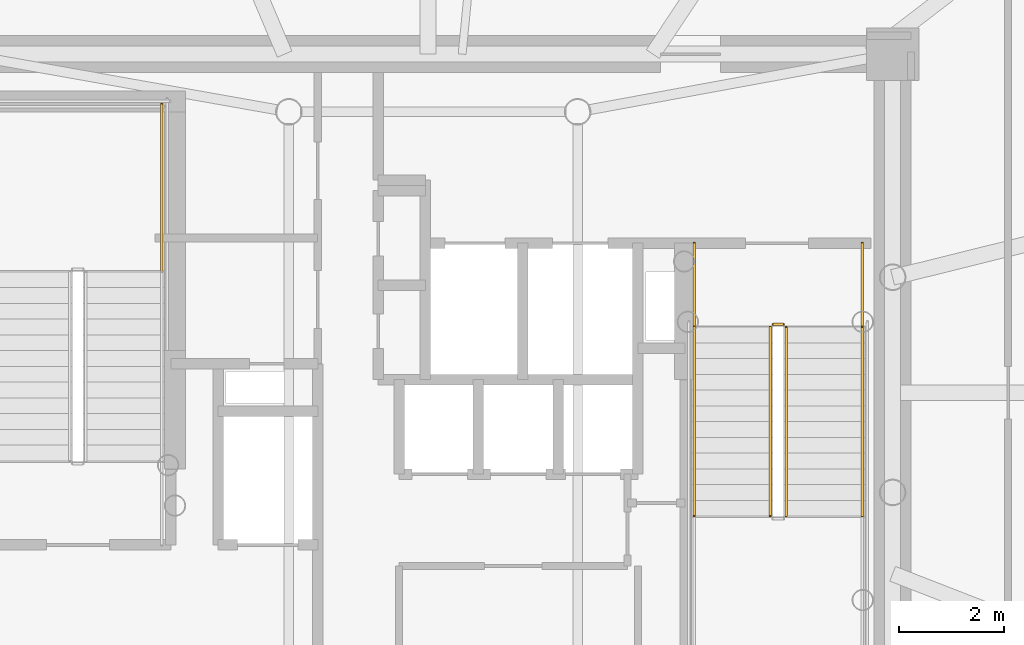
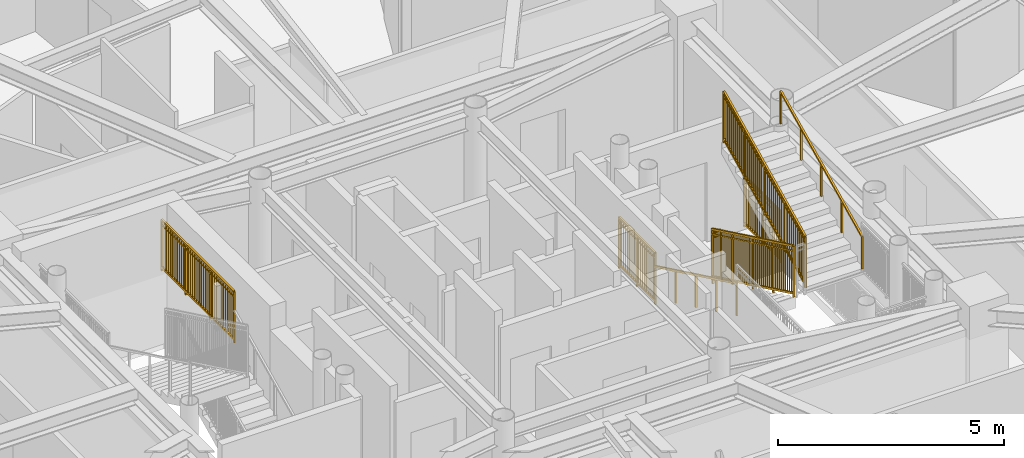
# One storey, part 16 of 17: 8 railings.
"""IFC4 building model written with IfcOpenShell, lengths in metres."""

import ifcopenshell
import ifcopenshell.guid

model = None  # the IFC model being written
_history = None  # IfcOwnerHistory: only IFC2X3 demands one
_inside = {}  # id of a spatial element -> (the spatial element, [elements in it])
_under = {}  # id of a project, library or spatial element -> (it, [spatial elements below it])
_declared = {}  # id of a project -> (the project, [libraries it declares])
_typed = {}  # id of a type object -> (the type object, [elements of that type])
_made_of = {}  # id of a material, layer set ... -> (it, [elements and type objects made of it])


def new_model(schema):
    """Start an empty IFC model of exactly this schema.

    Asked for "IFC4X3", IfcOpenShell would pick the latest addendum, in which some entities
    have other attributes; the version numbers below select the first issue.
    IFC2X3 requires an IfcOwnerHistory on every rooted entity: one is made here for all.
    """
    global model, _history
    if schema == "IFC4X3":
        model = ifcopenshell.file(schema_version=(4, 3, 0, 0))
    else:
        model = ifcopenshell.file(schema=schema)
    _inside.clear()
    _under.clear()
    _declared.clear()
    _typed.clear()
    _made_of.clear()
    _history = None
    if model.schema == "IFC2X3":
        org = make("IfcOrganization", Name="unknown")
        user = make(
            "IfcPersonAndOrganization",
            ThePerson=make("IfcPerson", FamilyName="unknown"),
            TheOrganization=org,
        )
        app = make(
            "IfcApplication",
            ApplicationDeveloper=org,
            Version="unknown",
            ApplicationFullName="unknown",
            ApplicationIdentifier="unknown",
        )
        _history = make(
            "IfcOwnerHistory",
            OwningUser=user,
            OwningApplication=app,
            ChangeAction="ADDED",
            CreationDate=0,
        )
    return model


def make(cls, **values):
    """One entity of the class cls with the attributes given. An attribute that is None is left unset."""
    return model.create_entity(
        cls, **{name: value for name, value in values.items() if value is not None}
    )


def rooted(cls, **values):
    """An entity with a GlobalId (a new one), such as an element, a storey or a relation."""
    return make(cls, GlobalId=ifcopenshell.guid.new(), OwnerHistory=_history, **values)


def si_unit(unit_type, name, prefix=None):
    """IfcSIUnit, for example si_unit("LENGTHUNIT", "METRE", prefix="MILLI")."""
    return make("IfcSIUnit", UnitType=unit_type, Prefix=prefix, Name=name)


def assignment(units):
    """IfcUnitAssignment: the units of a project."""
    return None if units is None else make("IfcUnitAssignment", Units=units)


def point(xyz):
    """IfcCartesianPoint."""
    return None if xyz is None else make("IfcCartesianPoint", Coordinates=xyz)


def direction(xyz):
    """IfcDirection."""
    return None if xyz is None else make("IfcDirection", DirectionRatios=xyz)


def frame(location, z_axis=None, x_axis=None):
    """IfcAxis2Placement3D, a coordinate frame: its origin and axes. An axis left out is left unset."""
    return make(
        "IfcAxis2Placement3D",
        Location=point(location),
        Axis=direction(z_axis),
        RefDirection=direction(x_axis),
    )


def frame_2d(location, x_axis=None):
    """IfcAxis2Placement2D, a coordinate frame in the plane: its origin and x axis."""
    return make(
        "IfcAxis2Placement2D", Location=point(location), RefDirection=direction(x_axis)
    )


def origin():
    """The frame at (0, 0, 0) with its axes left unset."""
    return frame((0.0, 0.0, 0.0))


def origin_2d():
    """The frame at (0, 0) in the plane with its x axis left unset."""
    return frame_2d((0.0, 0.0))


def place(relative_to, where):
    """IfcLocalPlacement: puts the frame where relative to a parent placement (None: the world)."""
    return make(
        "IfcLocalPlacement", PlacementRelTo=relative_to, RelativePlacement=where
    )


def context(
    kind, dimensions, precision=None, world=None, true_north=None, identifier=None
):
    """IfcGeometricRepresentationContext, for example the 3D "Model" context."""
    return make(
        "IfcGeometricRepresentationContext",
        ContextIdentifier=identifier,
        ContextType=kind,
        CoordinateSpaceDimension=dimensions,
        Precision=precision,
        WorldCoordinateSystem=world,
        TrueNorth=true_north,
    )


def subcontext(parent, identifier, kind, view, scale=None):
    """IfcGeometricRepresentationSubContext, for example "Body" below "Model"."""
    return make(
        "IfcGeometricRepresentationSubContext",
        ContextIdentifier=identifier,
        ContextType=kind,
        ParentContext=parent,
        TargetScale=scale,
        TargetView=view,
    )


def project(units=None, contexts=None):
    """IfcProject with its units and contexts."""
    return rooted(
        "IfcProject",
        Name="project",
        RepresentationContexts=contexts,
        UnitsInContext=assignment(units),
    )


def spatial(cls, under=None, at=None, **own):
    """A site, building, storey or space (cls), placed at a placement, below another one or the project."""
    s = rooted(cls, ObjectPlacement=at, **own)
    if under is not None:
        _under.setdefault(under.id(), (under, []))[1].append(s)
    return s


def profile(cls, at=None, kind="AREA", **sizes):
    """A parametric profile (cls). Its sizes go by their IFC names, for example OverallWidth=200.0."""
    return make(cls, ProfileType=kind, Position=at, **sizes)


def rectangle(**sizes):
    """IfcRectangleProfileDef."""
    return profile("IfcRectangleProfileDef", **sizes)


def extrude(swept, where, along, depth):
    """IfcExtrudedAreaSolid: the profile swept, set in the frame where, extruded along a direction by depth."""
    return make(
        "IfcExtrudedAreaSolid",
        SweptArea=swept,
        Position=where,
        ExtrudedDirection=direction(along),
        Depth=depth,
    )


def shape(context_of_items, identifier, shape_type, items):
    """IfcShapeRepresentation: the items that make up one representation, for example the "Body"."""
    return make(
        "IfcShapeRepresentation",
        ContextOfItems=context_of_items,
        RepresentationIdentifier=identifier,
        RepresentationType=shape_type,
        Items=items,
    )


def source(mapping_origin, context_of_items, identifier, shape_type, items):
    """IfcRepresentationMap: a shape defined once, which mapped items show again and again."""
    return make(
        "IfcRepresentationMap",
        MappingOrigin=mapping_origin,
        MappedRepresentation=shape(context_of_items, identifier, shape_type, items),
    )


def transform(
    local_origin,
    x_axis=None,
    y_axis=None,
    z_axis=None,
    scale=None,
    scale2=None,
    scale3=None,
    uniform=True,
):
    """IfcCartesianTransformationOperator3D, or its non-uniform kind. x_axis, y_axis, z_axis: its Axis1, 2, 3."""
    if uniform:
        return make(
            "IfcCartesianTransformationOperator3D",
            Axis1=direction(x_axis),
            Axis2=direction(y_axis),
            LocalOrigin=point(local_origin),
            Scale=scale,
            Axis3=direction(z_axis),
        )
    return make(
        "IfcCartesianTransformationOperator3DnonUniform",
        Axis1=direction(x_axis),
        Axis2=direction(y_axis),
        LocalOrigin=point(local_origin),
        Scale=scale,
        Axis3=direction(z_axis),
        Scale2=scale2,
        Scale3=scale3,
    )


def mapped(mapping_source, mapping_target):
    """IfcMappedItem: shows the shape of a source again, moved by a transform."""
    return make(
        "IfcMappedItem", MappingSource=mapping_source, MappingTarget=mapping_target
    )


def material(Name=None, Category=None):
    """IfcMaterial."""
    return make("IfcMaterial", Name=Name, Category=Category)


def made_of(thing, what):
    """Note that an element or type object is made of a material, layer set ...; save() writes the relation."""
    if what is not None:
        _made_of.setdefault(what.id(), (what, []))[1].append(thing)
    return thing


def type_object(cls, material=None, **own):
    """A type object (cls), such as IfcWallType, which elements share."""
    return made_of(rooted(cls, **own), material)


def element(
    cls,
    number,
    at=None,
    inside=None,
    cuts=None,
    type_object=None,
    material=None,
    context=None,
    identifier="Body",
    shape_type=None,
    held_by="IfcProductDefinitionShape",
    body=None,
    shapes=None,
    **own,
):
    """One element of the class cls, such as IfcWall. Its Tag is "e" and its number.

    at: its placement. inside: the storey or other place that contains it. cuts: it is an
    opening in that element (IfcRelVoidsElement). A single representation is given by context,
    identifier, shape_type and body (its items); several are given by shapes. held_by: the class
    of the entity that holds the representations. save() writes the other relations.
    """
    e = rooted(cls, Tag="e%d" % number, ObjectPlacement=at, **own)
    if body is not None:
        shapes = [shape(context, identifier, shape_type, body)]
    if shapes is not None:
        e.Representation = make(held_by, Representations=shapes)
    if inside is not None:
        _inside.setdefault(inside.id(), (inside, []))[1].append(e)
    if cuts is not None:
        rooted(
            "IfcRelVoidsElement", RelatingBuildingElement=cuts, RelatedOpeningElement=e
        )
    if type_object is not None:
        _typed.setdefault(type_object.id(), (type_object, []))[1].append(e)
    return made_of(e, material)


def aggregate(whole, parts):
    """IfcRelAggregates: a whole, such as a stair, and the parts it consists of."""
    return rooted("IfcRelAggregates", RelatingObject=whole, RelatedObjects=parts)


def save(model, path):
    """Write the relations noted so far, then the file.

    IfcRelAggregates (storeys below a building ...), IfcRelContainedInSpatialStructure (elements
    in a storey), IfcRelDefinesByType, IfcRelAssociatesMaterial and IfcRelDeclares: one each for
    every whole, place, type object, material and project.
    """
    for whole, parts in _under.values():
        aggregate(whole, parts)
    for where, things in _inside.values():
        rooted(
            "IfcRelContainedInSpatialStructure",
            RelatedElements=things,
            RelatingStructure=where,
        )
    for kind, things in _typed.values():
        rooted("IfcRelDefinesByType", RelatedObjects=things, RelatingType=kind)
    for what, things in _made_of.values():
        rooted("IfcRelAssociatesMaterial", RelatedObjects=things, RelatingMaterial=what)
    for by, libraries in _declared.values():
        rooted("IfcRelDeclares", RelatingContext=by, RelatedDefinitions=libraries)
    model.write(path)


model = new_model("IFC4")

# Units and contexts
model_context = context("Model", 3, precision=1e-05, world=origin(), true_north=direction((0.0, 1.0)))
body_context = subcontext(model_context, "Body", "Model", "MODEL_VIEW")
ifc_project = project(units=[si_unit("LENGTHUNIT", "METRE"), si_unit("AREAUNIT", "SQUARE_METRE"), si_unit("VOLUMEUNIT", "CUBIC_METRE"), si_unit("PLANEANGLEUNIT", "RADIAN"), si_unit("MASSUNIT", "GRAM", prefix="KILO")], contexts=[model_context])

# Site, building, storey
site_placement = place(None, origin())
site = spatial("IfcSite", under=ifc_project, at=site_placement, CompositionType="ELEMENT")
building_placement = place(site_placement, origin())
building = spatial("IfcBuilding", under=site, at=building_placement, Name="Linh Dai School and Residence Tower", CompositionType="ELEMENT")
storey_placement = place(building_placement, frame((0.0, 0.0, 284.25)))
storey = spatial("IfcBuildingStorey", under=building, at=storey_placement, Name="L70", CompositionType="ELEMENT", Elevation=284.25)

# Railings
ifc_material_1 = material(Name="Structural Steel S355JR", Category="steel")
railing_type_1 = type_object("IfcRailingType", Name="RL-ST-GUARD-1400", PredefinedType="GUARDRAIL", material=ifc_material_1)
shared_shape_1 = source(origin(), body_context, "Body", "SweptSolid", [
    extrude(rectangle(XDim=0.048095703125, YDim=0.048095703125, at=origin_2d()), frame((0.0, 0.0, 1.3759765625), z_axis=(0.0, 0.901262522062, 0.433273431364), x_axis=(-1.0, 0.0, 0.0)), (0.0, 0.0, 1.0), 3.994384765625),
    extrude(rectangle(XDim=0.048095703125, YDim=0.048095703125, at=origin_2d()), frame((0.0, 0.0, 0.10009765625), z_axis=(0.0, 0.901262522062, 0.433273431364), x_axis=(-1.0, 0.0, 0.0)), (0.0, 0.0, 1.0), 3.994384765625),
    extrude(rectangle(XDim=0.030029296875, YDim=0.030029296875, at=origin_2d()), frame((0.0, 0.0, 1.239990234375), z_axis=(0.0, 0.901262522062, 0.433273431364), x_axis=(-1.0, 0.0, 0.0)), (0.0, 0.0, 1.0), 3.994384765625),
    extrude(rectangle(XDim=0.02001953125, YDim=0.02001953125, at=origin_2d()), frame((0.0, 0.087890625, 0.142333984375)), (0.0, 0.0, 1.0), 1.251708984375),
    extrude(rectangle(XDim=0.02001953125, YDim=0.02001953125, at=origin_2d()), frame((0.0, 0.175537109375, 0.1845703125)), (0.0, 0.0, 1.0), 1.251708984375),
    extrude(rectangle(XDim=0.02001953125, YDim=0.02001953125, at=origin_2d()), frame((0.0, 0.263427734375, 0.226806640625)), (0.0, 0.0, 1.0), 1.251708984375),
    extrude(rectangle(XDim=0.02001953125, YDim=0.02001953125, at=origin_2d()), frame((0.0, 0.351318359375, 0.26904296875)), (0.0, 0.0, 1.0), 1.251708984375),
    extrude(rectangle(XDim=0.02001953125, YDim=0.02001953125, at=origin_2d()), frame((0.0, 0.43896484375, 0.311279296875)), (0.0, 0.0, 1.0), 1.251708984375),
    extrude(rectangle(XDim=0.02001953125, YDim=0.02001953125, at=origin_2d()), frame((0.0, 0.52685546875, 0.353271484375)), (0.0, 0.0, 1.0), 1.251708984375),
    extrude(rectangle(XDim=0.02001953125, YDim=0.02001953125, at=origin_2d()), frame((0.0, 0.61474609375, 0.3955078125)), (0.0, 0.0, 1.0), 1.251708984375),
    extrude(rectangle(XDim=0.02001953125, YDim=0.02001953125, at=origin_2d()), frame((0.0, 0.702392578125, 0.437744140625)), (0.0, 0.0, 1.0), 1.251708984375),
    extrude(rectangle(XDim=0.02001953125, YDim=0.02001953125, at=origin_2d()), frame((0.0, 0.790283203125, 0.47998046875)), (0.0, 0.0, 1.0), 1.251708984375),
    extrude(rectangle(XDim=0.02001953125, YDim=0.02001953125, at=origin_2d()), frame((0.0, 0.9658203125, 0.564453125)), (0.0, 0.0, 1.0), 1.251708984375),
    extrude(rectangle(XDim=0.02001953125, YDim=0.02001953125, at=origin_2d()), frame((0.0, 1.0537109375, 0.606689453125)), (0.0, 0.0, 1.0), 1.251708984375),
    extrude(rectangle(XDim=0.02001953125, YDim=0.02001953125, at=origin_2d()), frame((0.0, 1.1416015625, 0.64892578125)), (0.0, 0.0, 1.0), 1.251708984375),
    extrude(rectangle(XDim=0.02001953125, YDim=0.02001953125, at=origin_2d()), frame((0.0, 1.229248046875, 0.691162109375)), (0.0, 0.0, 1.0), 1.251708984375),
    extrude(rectangle(XDim=0.02001953125, YDim=0.02001953125, at=origin_2d()), frame((0.0, 1.317138671875, 0.7333984375)), (0.0, 0.0, 1.0), 1.251708984375),
    extrude(rectangle(XDim=0.02001953125, YDim=0.02001953125, at=origin_2d()), frame((0.0, 1.405029296875, 0.775390625)), (0.0, 0.0, 1.0), 1.251708984375),
    extrude(rectangle(XDim=0.02001953125, YDim=0.02001953125, at=origin_2d()), frame((0.0, 1.49267578125, 0.817626953125)), (0.0, 0.0, 1.0), 1.251708984375),
    extrude(rectangle(XDim=0.02001953125, YDim=0.02001953125, at=origin_2d()), frame((0.0, 1.58056640625, 0.85986328125)), (0.0, 0.0, 1.0), 1.251708984375),
    extrude(rectangle(XDim=0.02001953125, YDim=0.02001953125, at=origin_2d()), frame((0.0, 1.66845703125, 0.902099609375)), (0.0, 0.0, 1.0), 1.251708984375),
    extrude(rectangle(XDim=0.02001953125, YDim=0.02001953125, at=origin_2d()), frame((0.0, 1.756103515625, 0.9443359375)), (0.0, 0.0, 1.0), 1.251708984375),
    extrude(rectangle(XDim=0.02001953125, YDim=0.02001953125, at=origin_2d()), frame((0.0, 1.843994140625, 0.986572265625)), (0.0, 0.0, 1.0), 1.251708984375),
    extrude(rectangle(XDim=0.02001953125, YDim=0.02001953125, at=origin_2d()), frame((0.0, 1.931640625, 1.02880859375)), (0.0, 0.0, 1.0), 1.251708984375),
    extrude(rectangle(XDim=0.02001953125, YDim=0.02001953125, at=origin_2d()), frame((0.0, 2.01953125, 1.071044921875)), (0.0, 0.0, 1.0), 1.251708984375),
    extrude(rectangle(XDim=0.02001953125, YDim=0.02001953125, at=origin_2d()), frame((0.0, 2.107421875, 1.11328125)), (0.0, 0.0, 1.0), 1.251708984375),
    extrude(rectangle(XDim=0.02001953125, YDim=0.02001953125, at=origin_2d()), frame((0.0, 2.195068359375, 1.155517578125)), (0.0, 0.0, 1.0), 1.251708984375),
    extrude(rectangle(XDim=0.02001953125, YDim=0.02001953125, at=origin_2d()), frame((0.0, 2.282958984375, 1.197509765625)), (0.0, 0.0, 1.0), 1.251708984375),
    extrude(rectangle(XDim=0.02001953125, YDim=0.02001953125, at=origin_2d()), frame((0.0, 2.370849609375, 1.23974609375)), (0.0, 0.0, 1.0), 1.251708984375),
    extrude(rectangle(XDim=0.02001953125, YDim=0.02001953125, at=origin_2d()), frame((0.0, 2.45849609375, 1.281982421875)), (0.0, 0.0, 1.0), 1.251708984375),
    extrude(rectangle(XDim=0.02001953125, YDim=0.02001953125, at=origin_2d()), frame((0.0, 2.54638671875, 1.32421875)), (0.0, 0.0, 1.0), 1.251708984375),
    extrude(rectangle(XDim=0.02001953125, YDim=0.02001953125, at=origin_2d()), frame((0.0, 2.63427734375, 1.366455078125)), (0.0, 0.0, 1.0), 1.251708984375),
    extrude(rectangle(XDim=0.02001953125, YDim=0.02001953125, at=origin_2d()), frame((0.0, 2.809814453125, 1.450927734375)), (0.0, 0.0, 1.0), 1.251708984375),
    extrude(rectangle(XDim=0.02001953125, YDim=0.02001953125, at=origin_2d()), frame((0.0, 2.897705078125, 1.4931640625)), (0.0, 0.0, 1.0), 1.251708984375),
    extrude(rectangle(XDim=0.02001953125, YDim=0.02001953125, at=origin_2d()), frame((0.0, 2.9853515625, 1.535400390625)), (0.0, 0.0, 1.0), 1.251708984375),
    extrude(rectangle(XDim=0.02001953125, YDim=0.02001953125, at=origin_2d()), frame((0.0, 3.0732421875, 1.57763671875)), (0.0, 0.0, 1.0), 1.251708984375),
    extrude(rectangle(XDim=0.02001953125, YDim=0.02001953125, at=origin_2d()), frame((0.0, 3.1611328125, 1.61962890625)), (0.0, 0.0, 1.0), 1.251708984375),
    extrude(rectangle(XDim=0.02001953125, YDim=0.02001953125, at=origin_2d()), frame((0.0, 3.248779296875, 1.661865234375)), (0.0, 0.0, 1.0), 1.251708984375),
    extrude(rectangle(XDim=0.02001953125, YDim=0.02001953125, at=origin_2d()), frame((0.0, 3.336669921875, 1.7041015625)), (0.0, 0.0, 1.0), 1.251708984375),
    extrude(rectangle(XDim=0.02001953125, YDim=0.02001953125, at=origin_2d()), frame((0.0, 3.424560546875, 1.746337890625)), (0.0, 0.0, 1.0), 1.251708984375),
    extrude(rectangle(XDim=0.02001953125, YDim=0.02001953125, at=origin_2d()), frame((0.0, 3.51220703125, 1.78857421875)), (0.0, 0.0, 1.0), 1.251708984375),
    extrude(rectangle(XDim=0.0419921875, YDim=0.0419921875, at=origin_2d()), origin(), (0.0, 0.0, 1.0), 1.3759765625),
    extrude(rectangle(XDim=0.0419921875, YDim=0.0419921875, at=origin_2d()), frame((0.0, 0.89990234375, 0.4326171875)), (0.0, 0.0, 1.0), 1.3759765625),
    extrude(rectangle(XDim=0.0419921875, YDim=0.0419921875, at=origin_2d()), frame((0.0, 1.800048828125, 0.865234375)), (0.0, 0.0, 1.0), 1.3759765625),
    extrude(rectangle(XDim=0.0419921875, YDim=0.0419921875, at=origin_2d()), frame((0.0, 2.7001953125, 1.298095703125)), (0.0, 0.0, 1.0), 1.3759765625),
    extrude(rectangle(XDim=0.0419921875, YDim=0.0419921875, at=origin_2d()), frame((0.0, 3.60009765625, 1.730712890625)), (0.0, 0.0, 1.0), 1.3759765625),
])
railing_1_placement = place(storey_placement, frame((42.820068359375, 24.64990234375, 2.019287109375)))
element("IfcRailing", 1, at=railing_1_placement, inside=storey, type_object=railing_type_1, Name="L70 ST2 stair guard 6", PredefinedType="GUARDRAIL", context=body_context, shape_type="MappedRepresentation", body=[
    mapped(shared_shape_1, transform((0.0, 0.0, 0.0), x_axis=(1.0, 0.0, 0.0), y_axis=(0.0, 1.0, 0.0), z_axis=(0.0, 0.0, 1.0), scale=1.0)),
])
shared_shape_2 = source(origin(), body_context, "Body", "SweptSolid", [
    extrude(rectangle(XDim=0.048095703125, YDim=0.048095703125, at=origin_2d()), frame((0.0, 0.0, 1.3759765625), z_axis=(0.0, 1.0, 0.0), x_axis=(-1.0, 0.0, 0.0)), (0.0, 0.0, 1.0), 3.199951171875),
    extrude(rectangle(XDim=0.048095703125, YDim=0.048095703125, at=origin_2d()), frame((0.0, 0.0, 0.10009765625), z_axis=(0.0, 1.0, 0.0), x_axis=(-1.0, 0.0, 0.0)), (0.0, 0.0, 1.0), 3.199951171875),
    extrude(rectangle(XDim=0.030029296875, YDim=0.030029296875, at=origin_2d()), frame((0.0, 0.0, 1.239990234375), z_axis=(0.0, 1.0, 0.0), x_axis=(-1.0, 0.0, 0.0)), (0.0, 0.0, 1.0), 3.199951171875),
    extrude(rectangle(XDim=0.02001953125, YDim=0.02001953125, at=origin_2d()), frame((0.0, 0.096923828125, 0.10009765625)), (0.0, 0.0, 1.0), 1.251708984375),
    extrude(rectangle(XDim=0.02001953125, YDim=0.02001953125, at=origin_2d()), frame((0.0, 0.19384765625, 0.10009765625)), (0.0, 0.0, 1.0), 1.251708984375),
    extrude(rectangle(XDim=0.02001953125, YDim=0.02001953125, at=origin_2d()), frame((0.0, 0.291015625, 0.10009765625)), (0.0, 0.0, 1.0), 1.251708984375),
    extrude(rectangle(XDim=0.02001953125, YDim=0.02001953125, at=origin_2d()), frame((0.0, 0.387939453125, 0.10009765625)), (0.0, 0.0, 1.0), 1.251708984375),
    extrude(rectangle(XDim=0.02001953125, YDim=0.02001953125, at=origin_2d()), frame((0.0, 0.48486328125, 0.10009765625)), (0.0, 0.0, 1.0), 1.251708984375),
    extrude(rectangle(XDim=0.02001953125, YDim=0.02001953125, at=origin_2d()), frame((0.0, 0.581787109375, 0.10009765625)), (0.0, 0.0, 1.0), 1.251708984375),
    extrude(rectangle(XDim=0.02001953125, YDim=0.02001953125, at=origin_2d()), frame((0.0, 0.6787109375, 0.10009765625)), (0.0, 0.0, 1.0), 1.251708984375),
    extrude(rectangle(XDim=0.02001953125, YDim=0.02001953125, at=origin_2d()), frame((0.0, 0.775634765625, 0.10009765625)), (0.0, 0.0, 1.0), 1.251708984375),
    extrude(rectangle(XDim=0.02001953125, YDim=0.02001953125, at=origin_2d()), frame((0.0, 0.872802734375, 0.10009765625)), (0.0, 0.0, 1.0), 1.251708984375),
    extrude(rectangle(XDim=0.02001953125, YDim=0.02001953125, at=origin_2d()), frame((0.0, 0.9697265625, 0.10009765625)), (0.0, 0.0, 1.0), 1.251708984375),
    extrude(rectangle(XDim=0.02001953125, YDim=0.02001953125, at=origin_2d()), frame((0.0, 1.16357421875, 0.10009765625)), (0.0, 0.0, 1.0), 1.251708984375),
    extrude(rectangle(XDim=0.02001953125, YDim=0.02001953125, at=origin_2d()), frame((0.0, 1.260498046875, 0.10009765625)), (0.0, 0.0, 1.0), 1.251708984375),
    extrude(rectangle(XDim=0.02001953125, YDim=0.02001953125, at=origin_2d()), frame((0.0, 1.357666015625, 0.10009765625)), (0.0, 0.0, 1.0), 1.251708984375),
    extrude(rectangle(XDim=0.02001953125, YDim=0.02001953125, at=origin_2d()), frame((0.0, 1.45458984375, 0.10009765625)), (0.0, 0.0, 1.0), 1.251708984375),
    extrude(rectangle(XDim=0.02001953125, YDim=0.02001953125, at=origin_2d()), frame((0.0, 1.551513671875, 0.10009765625)), (0.0, 0.0, 1.0), 1.251708984375),
    extrude(rectangle(XDim=0.02001953125, YDim=0.02001953125, at=origin_2d()), frame((0.0, 1.6484375, 0.10009765625)), (0.0, 0.0, 1.0), 1.251708984375),
    extrude(rectangle(XDim=0.02001953125, YDim=0.02001953125, at=origin_2d()), frame((0.0, 1.745361328125, 0.10009765625)), (0.0, 0.0, 1.0), 1.251708984375),
    extrude(rectangle(XDim=0.02001953125, YDim=0.02001953125, at=origin_2d()), frame((0.0, 1.84228515625, 0.10009765625)), (0.0, 0.0, 1.0), 1.251708984375),
    extrude(rectangle(XDim=0.02001953125, YDim=0.02001953125, at=origin_2d()), frame((0.0, 1.939453125, 0.10009765625)), (0.0, 0.0, 1.0), 1.251708984375),
    extrude(rectangle(XDim=0.02001953125, YDim=0.02001953125, at=origin_2d()), frame((0.0, 2.036376953125, 0.10009765625)), (0.0, 0.0, 1.0), 1.251708984375),
    extrude(rectangle(XDim=0.02001953125, YDim=0.02001953125, at=origin_2d()), frame((0.0, 2.230224609375, 0.10009765625)), (0.0, 0.0, 1.0), 1.251708984375),
    extrude(rectangle(XDim=0.02001953125, YDim=0.02001953125, at=origin_2d()), frame((0.0, 2.3271484375, 0.10009765625)), (0.0, 0.0, 1.0), 1.251708984375),
    extrude(rectangle(XDim=0.02001953125, YDim=0.02001953125, at=origin_2d()), frame((0.0, 2.42431640625, 0.10009765625)), (0.0, 0.0, 1.0), 1.251708984375),
    extrude(rectangle(XDim=0.02001953125, YDim=0.02001953125, at=origin_2d()), frame((0.0, 2.521240234375, 0.10009765625)), (0.0, 0.0, 1.0), 1.251708984375),
    extrude(rectangle(XDim=0.02001953125, YDim=0.02001953125, at=origin_2d()), frame((0.0, 2.6181640625, 0.10009765625)), (0.0, 0.0, 1.0), 1.251708984375),
    extrude(rectangle(XDim=0.02001953125, YDim=0.02001953125, at=origin_2d()), frame((0.0, 2.715087890625, 0.10009765625)), (0.0, 0.0, 1.0), 1.251708984375),
    extrude(rectangle(XDim=0.02001953125, YDim=0.02001953125, at=origin_2d()), frame((0.0, 2.81201171875, 0.10009765625)), (0.0, 0.0, 1.0), 1.251708984375),
    extrude(rectangle(XDim=0.02001953125, YDim=0.02001953125, at=origin_2d()), frame((0.0, 2.908935546875, 0.10009765625)), (0.0, 0.0, 1.0), 1.251708984375),
    extrude(rectangle(XDim=0.02001953125, YDim=0.02001953125, at=origin_2d()), frame((0.0, 3.006103515625, 0.10009765625)), (0.0, 0.0, 1.0), 1.251708984375),
    extrude(rectangle(XDim=0.02001953125, YDim=0.02001953125, at=origin_2d()), frame((0.0, 3.10302734375, 0.10009765625)), (0.0, 0.0, 1.0), 1.251708984375),
    extrude(rectangle(XDim=0.0419921875, YDim=0.0419921875, at=origin_2d()), origin(), (0.0, 0.0, 1.0), 1.3759765625),
    extrude(rectangle(XDim=0.0419921875, YDim=0.0419921875, at=origin_2d()), frame((0.0, 1.066650390625, 0.0)), (0.0, 0.0, 1.0), 1.3759765625),
    extrude(rectangle(XDim=0.0419921875, YDim=0.0419921875, at=origin_2d()), frame((0.0, 2.13330078125, 0.0)), (0.0, 0.0, 1.0), 1.3759765625),
    extrude(rectangle(XDim=0.0419921875, YDim=0.0419921875, at=origin_2d()), frame((0.0, 3.199951171875, 0.0)), (0.0, 0.0, 1.0), 1.3759765625),
])
railing_2_placement = place(storey_placement, frame((30.929931640625, 29.300048828125, 1.875)))
element("IfcRailing", 2, at=railing_2_placement, inside=storey, type_object=railing_type_1, Name="L70 ST1 stair guard 3", PredefinedType="GUARDRAIL", context=body_context, shape_type="MappedRepresentation", body=[
    mapped(shared_shape_2, transform((0.0, 0.0, 0.0), x_axis=(1.0, 0.0, 0.0), y_axis=(0.0, 1.0, 0.0), z_axis=(0.0, 0.0, 1.0), scale=1.0)),
])
shared_shape_3 = source(origin(), body_context, "Body", "SweptSolid", [
    extrude(rectangle(XDim=0.048095703125, YDim=0.048095703125, at=origin_2d()), frame((0.0, 0.0, 1.3759765625), z_axis=(0.0, -0.901262522062, 0.433273431364), x_axis=(1.0, 0.0, 0.0)), (0.0, 0.0, 1.0), 3.994384765625),
    extrude(rectangle(XDim=0.048095703125, YDim=0.048095703125, at=origin_2d()), frame((0.0, 0.0, 0.10009765625), z_axis=(0.0, -0.901262522062, 0.433273431364), x_axis=(1.0, 0.0, 0.0)), (0.0, 0.0, 1.0), 3.994384765625),
    extrude(rectangle(XDim=0.030029296875, YDim=0.030029296875, at=origin_2d()), frame((0.0, 0.0, 1.239990234375), z_axis=(0.0, -0.901262522062, 0.433273431364), x_axis=(1.0, 0.0, 0.0)), (0.0, 0.0, 1.0), 3.994384765625),
    extrude(rectangle(XDim=0.02001953125, YDim=0.02001953125, at=origin_2d()), frame((0.0, -0.087890625, 0.142333984375)), (0.0, 0.0, 1.0), 1.251708984375),
    extrude(rectangle(XDim=0.02001953125, YDim=0.02001953125, at=origin_2d()), frame((0.0, -0.175537109375, 0.1845703125)), (0.0, 0.0, 1.0), 1.251708984375),
    extrude(rectangle(XDim=0.02001953125, YDim=0.02001953125, at=origin_2d()), frame((0.0, -0.263427734375, 0.226806640625)), (0.0, 0.0, 1.0), 1.251708984375),
    extrude(rectangle(XDim=0.02001953125, YDim=0.02001953125, at=origin_2d()), frame((0.0, -0.351318359375, 0.26904296875)), (0.0, 0.0, 1.0), 1.251708984375),
    extrude(rectangle(XDim=0.02001953125, YDim=0.02001953125, at=origin_2d()), frame((0.0, -0.43896484375, 0.311279296875)), (0.0, 0.0, 1.0), 1.251708984375),
    extrude(rectangle(XDim=0.02001953125, YDim=0.02001953125, at=origin_2d()), frame((0.0, -0.52685546875, 0.353271484375)), (0.0, 0.0, 1.0), 1.251708984375),
    extrude(rectangle(XDim=0.02001953125, YDim=0.02001953125, at=origin_2d()), frame((0.0, -0.61474609375, 0.3955078125)), (0.0, 0.0, 1.0), 1.251708984375),
    extrude(rectangle(XDim=0.02001953125, YDim=0.02001953125, at=origin_2d()), frame((0.0, -0.702392578125, 0.437744140625)), (0.0, 0.0, 1.0), 1.251708984375),
    extrude(rectangle(XDim=0.02001953125, YDim=0.02001953125, at=origin_2d()), frame((0.0, -0.790283203125, 0.47998046875)), (0.0, 0.0, 1.0), 1.251708984375),
    extrude(rectangle(XDim=0.02001953125, YDim=0.02001953125, at=origin_2d()), frame((0.0, -0.9658203125, 0.564453125)), (0.0, 0.0, 1.0), 1.251708984375),
    extrude(rectangle(XDim=0.02001953125, YDim=0.02001953125, at=origin_2d()), frame((0.0, -1.0537109375, 0.606689453125)), (0.0, 0.0, 1.0), 1.251708984375),
    extrude(rectangle(XDim=0.02001953125, YDim=0.02001953125, at=origin_2d()), frame((0.0, -1.1416015625, 0.64892578125)), (0.0, 0.0, 1.0), 1.251708984375),
    extrude(rectangle(XDim=0.02001953125, YDim=0.02001953125, at=origin_2d()), frame((0.0, -1.229248046875, 0.691162109375)), (0.0, 0.0, 1.0), 1.251708984375),
    extrude(rectangle(XDim=0.02001953125, YDim=0.02001953125, at=origin_2d()), frame((0.0, -1.317138671875, 0.7333984375)), (0.0, 0.0, 1.0), 1.251708984375),
    extrude(rectangle(XDim=0.02001953125, YDim=0.02001953125, at=origin_2d()), frame((0.0, -1.405029296875, 0.775390625)), (0.0, 0.0, 1.0), 1.251708984375),
    extrude(rectangle(XDim=0.02001953125, YDim=0.02001953125, at=origin_2d()), frame((0.0, -1.49267578125, 0.817626953125)), (0.0, 0.0, 1.0), 1.251708984375),
    extrude(rectangle(XDim=0.02001953125, YDim=0.02001953125, at=origin_2d()), frame((0.0, -1.58056640625, 0.85986328125)), (0.0, 0.0, 1.0), 1.251708984375),
    extrude(rectangle(XDim=0.02001953125, YDim=0.02001953125, at=origin_2d()), frame((0.0, -1.66845703125, 0.902099609375)), (0.0, 0.0, 1.0), 1.251708984375),
    extrude(rectangle(XDim=0.02001953125, YDim=0.02001953125, at=origin_2d()), frame((0.0, -1.756103515625, 0.9443359375)), (0.0, 0.0, 1.0), 1.251708984375),
    extrude(rectangle(XDim=0.02001953125, YDim=0.02001953125, at=origin_2d()), frame((0.0, -1.843994140625, 0.986572265625)), (0.0, 0.0, 1.0), 1.251708984375),
    extrude(rectangle(XDim=0.02001953125, YDim=0.02001953125, at=origin_2d()), frame((0.0, -1.931640625, 1.02880859375)), (0.0, 0.0, 1.0), 1.251708984375),
    extrude(rectangle(XDim=0.02001953125, YDim=0.02001953125, at=origin_2d()), frame((0.0, -2.01953125, 1.071044921875)), (0.0, 0.0, 1.0), 1.251708984375),
    extrude(rectangle(XDim=0.02001953125, YDim=0.02001953125, at=origin_2d()), frame((0.0, -2.107421875, 1.11328125)), (0.0, 0.0, 1.0), 1.251708984375),
    extrude(rectangle(XDim=0.02001953125, YDim=0.02001953125, at=origin_2d()), frame((0.0, -2.195068359375, 1.155517578125)), (0.0, 0.0, 1.0), 1.251708984375),
    extrude(rectangle(XDim=0.02001953125, YDim=0.02001953125, at=origin_2d()), frame((0.0, -2.282958984375, 1.197509765625)), (0.0, 0.0, 1.0), 1.251708984375),
    extrude(rectangle(XDim=0.02001953125, YDim=0.02001953125, at=origin_2d()), frame((0.0, -2.370849609375, 1.23974609375)), (0.0, 0.0, 1.0), 1.251708984375),
    extrude(rectangle(XDim=0.02001953125, YDim=0.02001953125, at=origin_2d()), frame((0.0, -2.45849609375, 1.281982421875)), (0.0, 0.0, 1.0), 1.251708984375),
    extrude(rectangle(XDim=0.02001953125, YDim=0.02001953125, at=origin_2d()), frame((0.0, -2.54638671875, 1.32421875)), (0.0, 0.0, 1.0), 1.251708984375),
    extrude(rectangle(XDim=0.02001953125, YDim=0.02001953125, at=origin_2d()), frame((0.0, -2.63427734375, 1.366455078125)), (0.0, 0.0, 1.0), 1.251708984375),
    extrude(rectangle(XDim=0.02001953125, YDim=0.02001953125, at=origin_2d()), frame((0.0, -2.809814453125, 1.450927734375)), (0.0, 0.0, 1.0), 1.251708984375),
    extrude(rectangle(XDim=0.02001953125, YDim=0.02001953125, at=origin_2d()), frame((0.0, -2.897705078125, 1.4931640625)), (0.0, 0.0, 1.0), 1.251708984375),
    extrude(rectangle(XDim=0.02001953125, YDim=0.02001953125, at=origin_2d()), frame((0.0, -2.9853515625, 1.535400390625)), (0.0, 0.0, 1.0), 1.251708984375),
    extrude(rectangle(XDim=0.02001953125, YDim=0.02001953125, at=origin_2d()), frame((0.0, -3.0732421875, 1.57763671875)), (0.0, 0.0, 1.0), 1.251708984375),
    extrude(rectangle(XDim=0.02001953125, YDim=0.02001953125, at=origin_2d()), frame((0.0, -3.1611328125, 1.61962890625)), (0.0, 0.0, 1.0), 1.251708984375),
    extrude(rectangle(XDim=0.02001953125, YDim=0.02001953125, at=origin_2d()), frame((0.0, -3.248779296875, 1.661865234375)), (0.0, 0.0, 1.0), 1.251708984375),
    extrude(rectangle(XDim=0.02001953125, YDim=0.02001953125, at=origin_2d()), frame((0.0, -3.336669921875, 1.7041015625)), (0.0, 0.0, 1.0), 1.251708984375),
    extrude(rectangle(XDim=0.02001953125, YDim=0.02001953125, at=origin_2d()), frame((0.0, -3.424560546875, 1.746337890625)), (0.0, 0.0, 1.0), 1.251708984375),
    extrude(rectangle(XDim=0.02001953125, YDim=0.02001953125, at=origin_2d()), frame((0.0, -3.51220703125, 1.78857421875)), (0.0, 0.0, 1.0), 1.251708984375),
    extrude(rectangle(XDim=0.0419921875, YDim=0.0419921875, at=origin_2d()), origin(), (0.0, 0.0, 1.0), 1.3759765625),
    extrude(rectangle(XDim=0.0419921875, YDim=0.0419921875, at=origin_2d()), frame((0.0, -0.89990234375, 0.4326171875)), (0.0, 0.0, 1.0), 1.3759765625),
    extrude(rectangle(XDim=0.0419921875, YDim=0.0419921875, at=origin_2d()), frame((0.0, -1.800048828125, 0.865234375)), (0.0, 0.0, 1.0), 1.3759765625),
    extrude(rectangle(XDim=0.0419921875, YDim=0.0419921875, at=origin_2d()), frame((0.0, -2.7001953125, 1.298095703125)), (0.0, 0.0, 1.0), 1.3759765625),
    extrude(rectangle(XDim=0.0419921875, YDim=0.0419921875, at=origin_2d()), frame((0.0, -3.60009765625, 1.730712890625)), (0.0, 0.0, 1.0), 1.3759765625),
])
railing_3_placement = place(storey_placement, frame((42.52001953125, 28.25, 0.144287109375)))
element("IfcRailing", 3, at=railing_3_placement, inside=storey, type_object=railing_type_1, Name="L70 ST2 stair guard 1", PredefinedType="GUARDRAIL", context=body_context, shape_type="MappedRepresentation", body=[
    mapped(shared_shape_3, transform((0.0, 0.0, 0.0), x_axis=(1.0, 0.0, 0.0), y_axis=(0.0, 1.0, 0.0), z_axis=(0.0, 0.0, 1.0), scale=1.0)),
])
ifc_material_2 = material(Name="Brushed Stainless Steel Handrail", Category="steel")
railing_type_2 = type_object("IfcRailingType", Name="RL-ST-HANDRAIL-900", PredefinedType="HANDRAIL", material=ifc_material_2)
shared_shape_4 = source(origin(), body_context, "Body", "SweptSolid", [
    extrude(rectangle(XDim=0.048095703125, YDim=0.048095703125, at=origin_2d()), frame((0.0, 0.0, 0.8759765625), z_axis=(0.0, 0.901262522062, 0.433273431364), x_axis=(-1.0, 0.0, 0.0)), (0.0, 0.0, 1.0), 3.994384765625),
    extrude(rectangle(XDim=0.0419921875, YDim=0.0419921875, at=origin_2d()), origin(), (0.0, 0.0, 1.0), 0.8759765625),
    extrude(rectangle(XDim=0.0419921875, YDim=0.0419921875, at=origin_2d()), frame((0.0, 0.89990234375, 0.4326171875)), (0.0, 0.0, 1.0), 0.8759765625),
    extrude(rectangle(XDim=0.0419921875, YDim=0.0419921875, at=origin_2d()), frame((0.0, 1.800048828125, 0.865234375)), (0.0, 0.0, 1.0), 0.8759765625),
    extrude(rectangle(XDim=0.0419921875, YDim=0.0419921875, at=origin_2d()), frame((0.0, 2.7001953125, 1.298095703125)), (0.0, 0.0, 1.0), 0.8759765625),
    extrude(rectangle(XDim=0.0419921875, YDim=0.0419921875, at=origin_2d()), frame((0.0, 3.60009765625, 1.730712890625)), (0.0, 0.0, 1.0), 0.8759765625),
])
railing_4_placement = place(storey_placement, frame((44.27001953125, 24.64990234375, 2.019287109375)))
element("IfcRailing", 4, at=railing_4_placement, inside=storey, type_object=railing_type_2, Name="L70 ST2 stair handrail 2", PredefinedType="HANDRAIL", context=body_context, shape_type="MappedRepresentation", body=[
    mapped(shared_shape_4, transform((0.0, 0.0, 0.0), x_axis=(1.0, 0.0, 0.0), y_axis=(0.0, 1.0, 0.0), z_axis=(0.0, 0.0, 1.0), scale=1.0)),
])
shared_shape_5 = source(origin(), body_context, "Body", "SweptSolid", [
    extrude(rectangle(XDim=0.048095703125, YDim=0.048095703125, at=origin_2d()), frame((0.0, 0.0, 0.8759765625), z_axis=(0.0, -0.901262522062, 0.433273431364), x_axis=(1.0, 0.0, 0.0)), (0.0, 0.0, 1.0), 3.994384765625),
    extrude(rectangle(XDim=0.0419921875, YDim=0.0419921875, at=origin_2d()), origin(), (0.0, 0.0, 1.0), 0.8759765625),
    extrude(rectangle(XDim=0.0419921875, YDim=0.0419921875, at=origin_2d()), frame((0.0, -0.89990234375, 0.4326171875)), (0.0, 0.0, 1.0), 0.8759765625),
    extrude(rectangle(XDim=0.0419921875, YDim=0.0419921875, at=origin_2d()), frame((0.0, -1.800048828125, 0.865234375)), (0.0, 0.0, 1.0), 0.8759765625),
    extrude(rectangle(XDim=0.0419921875, YDim=0.0419921875, at=origin_2d()), frame((0.0, -2.7001953125, 1.298095703125)), (0.0, 0.0, 1.0), 0.8759765625),
    extrude(rectangle(XDim=0.0419921875, YDim=0.0419921875, at=origin_2d()), frame((0.0, -3.60009765625, 1.730712890625)), (0.0, 0.0, 1.0), 0.8759765625),
])
railing_5_placement = place(storey_placement, frame((41.070068359375, 28.25, 0.144287109375)))
element("IfcRailing", 5, at=railing_5_placement, inside=storey, type_object=railing_type_2, Name="L70 ST2 stair handrail 1", PredefinedType="HANDRAIL", context=body_context, shape_type="MappedRepresentation", body=[
    mapped(shared_shape_5, transform((0.0, 0.0, 0.0), x_axis=(1.0, 0.0, 0.0), y_axis=(0.0, 1.0, 0.0), z_axis=(0.0, 0.0, 1.0), scale=1.0)),
])
shared_shape_6 = source(origin(), body_context, "Body", "SweptSolid", [
    extrude(rectangle(XDim=0.048095703125, YDim=0.048095703125, at=origin_2d()), frame((0.0, 0.0, 1.3759765625), z_axis=(1.0, 0.0, 0.0), x_axis=(0.0, 1.0, 0.0)), (0.0, 0.0, 1.0), 0.199951171875),
    extrude(rectangle(XDim=0.048095703125, YDim=0.048095703125, at=origin_2d()), frame((0.0, 0.0, 0.10009765625), z_axis=(1.0, 0.0, 0.0), x_axis=(0.0, 1.0, 0.0)), (0.0, 0.0, 1.0), 0.199951171875),
    extrude(rectangle(XDim=0.030029296875, YDim=0.030029296875, at=origin_2d()), frame((0.0, 0.0, 1.239990234375), z_axis=(1.0, 0.0, 0.0), x_axis=(0.0, 1.0, 0.0)), (0.0, 0.0, 1.0), 0.199951171875),
    extrude(rectangle(XDim=0.0419921875, YDim=0.0419921875, at=origin_2d()), origin(), (0.0, 0.0, 1.0), 1.3759765625),
    extrude(rectangle(XDim=0.0419921875, YDim=0.0419921875, at=origin_2d()), frame((0.199951171875, 0.0, 0.0)), (0.0, 0.0, 1.0), 1.3759765625),
])
railing_6_placement = place(storey_placement, frame((42.570068359375, 28.300048828125, 0.0)))
element("IfcRailing", 6, at=railing_6_placement, inside=storey, type_object=railing_type_1, Name="L70 ST2 stair guard 7", PredefinedType="GUARDRAIL", context=body_context, shape_type="MappedRepresentation", body=[
    mapped(shared_shape_6, transform((0.0, 0.0, 0.0), x_axis=(1.0, 0.0, 0.0), y_axis=(0.0, 1.0, 0.0), z_axis=(0.0, 0.0, 1.0), scale=1.0)),
])
shared_shape_7 = source(origin(), body_context, "Body", "SweptSolid", [
    extrude(rectangle(XDim=0.048095703125, YDim=0.048095703125, at=origin_2d()), frame((0.0, 0.0, 1.3759765625), z_axis=(0.0, -1.0, 0.0), x_axis=(1.0, 0.0, 0.0)), (0.0, 0.0, 1.0), 1.60009765625),
    extrude(rectangle(XDim=0.048095703125, YDim=0.048095703125, at=origin_2d()), frame((0.0, 0.0, 0.10009765625), z_axis=(0.0, -1.0, 0.0), x_axis=(1.0, 0.0, 0.0)), (0.0, 0.0, 1.0), 1.60009765625),
    extrude(rectangle(XDim=0.030029296875, YDim=0.030029296875, at=origin_2d()), frame((0.0, 0.0, 1.239990234375), z_axis=(0.0, -1.0, 0.0), x_axis=(1.0, 0.0, 0.0)), (0.0, 0.0, 1.0), 1.60009765625),
    extrude(rectangle(XDim=0.02001953125, YDim=0.02001953125, at=origin_2d()), frame((0.0, -0.09423828125, 0.10009765625)), (0.0, 0.0, 1.0), 1.251708984375),
    extrude(rectangle(XDim=0.02001953125, YDim=0.02001953125, at=origin_2d()), frame((0.0, -0.188232421875, 0.10009765625)), (0.0, 0.0, 1.0), 1.251708984375),
    extrude(rectangle(XDim=0.02001953125, YDim=0.02001953125, at=origin_2d()), frame((0.0, -0.282470703125, 0.10009765625)), (0.0, 0.0, 1.0), 1.251708984375),
    extrude(rectangle(XDim=0.02001953125, YDim=0.02001953125, at=origin_2d()), frame((0.0, -0.37646484375, 0.10009765625)), (0.0, 0.0, 1.0), 1.251708984375),
    extrude(rectangle(XDim=0.02001953125, YDim=0.02001953125, at=origin_2d()), frame((0.0, -0.470703125, 0.10009765625)), (0.0, 0.0, 1.0), 1.251708984375),
    extrude(rectangle(XDim=0.02001953125, YDim=0.02001953125, at=origin_2d()), frame((0.0, -0.564697265625, 0.10009765625)), (0.0, 0.0, 1.0), 1.251708984375),
    extrude(rectangle(XDim=0.02001953125, YDim=0.02001953125, at=origin_2d()), frame((0.0, -0.658935546875, 0.10009765625)), (0.0, 0.0, 1.0), 1.251708984375),
    extrude(rectangle(XDim=0.02001953125, YDim=0.02001953125, at=origin_2d()), frame((0.0, -0.7529296875, 0.10009765625)), (0.0, 0.0, 1.0), 1.251708984375),
    extrude(rectangle(XDim=0.02001953125, YDim=0.02001953125, at=origin_2d()), frame((0.0, -0.84716796875, 0.10009765625)), (0.0, 0.0, 1.0), 1.251708984375),
    extrude(rectangle(XDim=0.02001953125, YDim=0.02001953125, at=origin_2d()), frame((0.0, -0.941162109375, 0.10009765625)), (0.0, 0.0, 1.0), 1.251708984375),
    extrude(rectangle(XDim=0.02001953125, YDim=0.02001953125, at=origin_2d()), frame((0.0, -1.035400390625, 0.10009765625)), (0.0, 0.0, 1.0), 1.251708984375),
    extrude(rectangle(XDim=0.02001953125, YDim=0.02001953125, at=origin_2d()), frame((0.0, -1.12939453125, 0.10009765625)), (0.0, 0.0, 1.0), 1.251708984375),
    extrude(rectangle(XDim=0.02001953125, YDim=0.02001953125, at=origin_2d()), frame((0.0, -1.2236328125, 0.10009765625)), (0.0, 0.0, 1.0), 1.251708984375),
    extrude(rectangle(XDim=0.02001953125, YDim=0.02001953125, at=origin_2d()), frame((0.0, -1.317626953125, 0.10009765625)), (0.0, 0.0, 1.0), 1.251708984375),
    extrude(rectangle(XDim=0.02001953125, YDim=0.02001953125, at=origin_2d()), frame((0.0, -1.411865234375, 0.10009765625)), (0.0, 0.0, 1.0), 1.251708984375),
    extrude(rectangle(XDim=0.02001953125, YDim=0.02001953125, at=origin_2d()), frame((0.0, -1.505859375, 0.10009765625)), (0.0, 0.0, 1.0), 1.251708984375),
    extrude(rectangle(XDim=0.0419921875, YDim=0.0419921875, at=origin_2d()), origin(), (0.0, 0.0, 1.0), 1.3759765625),
    extrude(rectangle(XDim=0.0419921875, YDim=0.0419921875, at=origin_2d()), frame((0.0, -0.800048828125, 0.0)), (0.0, 0.0, 1.0), 1.3759765625),
    extrude(rectangle(XDim=0.0419921875, YDim=0.0419921875, at=origin_2d()), frame((0.0, -1.60009765625, 0.0)), (0.0, 0.0, 1.0), 1.3759765625),
])
for number, where, name in (
    (7, (41.070068359375, 29.85009765625, 0.0), "L70 ST2 stair guard 8"),
    (8, (44.27001953125, 29.85009765625, 0.0), "L70 ST2 stair guard 9"),
):
    element("IfcRailing", number, at=place(storey_placement, frame(where)), inside=storey, type_object=railing_type_1, Name=name, PredefinedType="GUARDRAIL", context=body_context, shape_type="MappedRepresentation", body=[
        mapped(shared_shape_7, transform((0.0, 0.0, 0.0), x_axis=(1.0, 0.0, 0.0), y_axis=(0.0, 1.0, 0.0), z_axis=(0.0, 0.0, 1.0), scale=1.0)),
    ])

save(model, "model.ifc")
